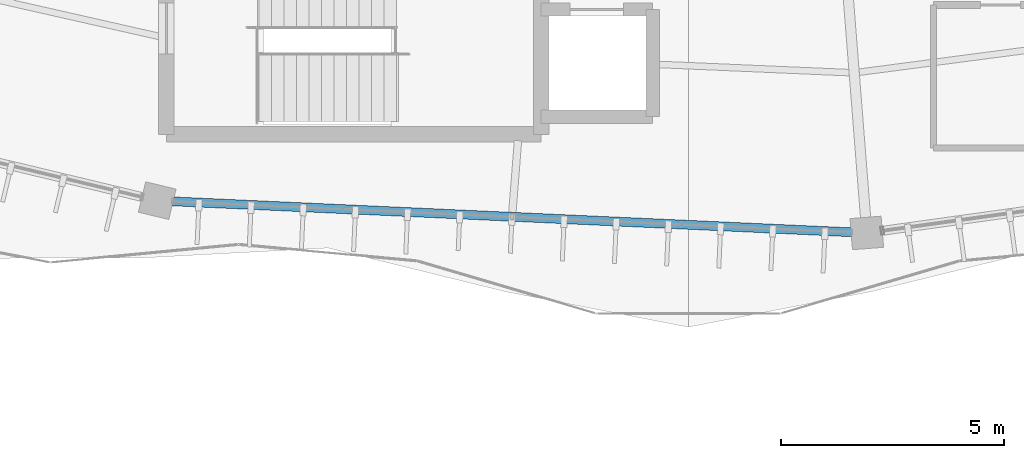
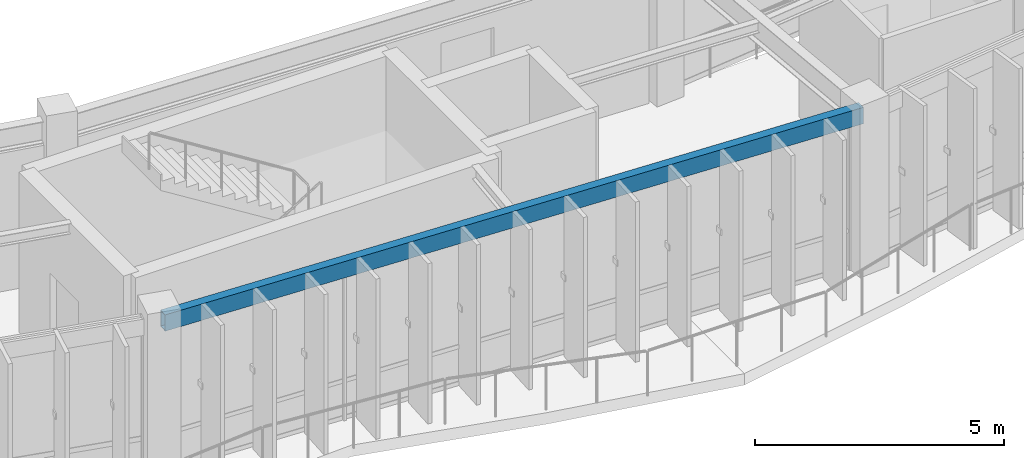
# One storey, part 27 of 138: 1 beam.
"""IFC4 building model written with IfcOpenShell, lengths in metres."""

from ifc_helpers import new_model, si_unit, direction, frame, origin, origin_2d, place, context, subcontext, project, spatial, hollow_rectangle, extrude, material, material_profile, profile_set, type_object, element, save


model = new_model("IFC4")

# Units and contexts
model_context = context("Model", 3, precision=1e-05, world=origin(), true_north=direction((0.0, 1.0)))
body_context = subcontext(model_context, "Body", "Model", "MODEL_VIEW")
ifc_project = project(units=[si_unit("LENGTHUNIT", "METRE"), si_unit("AREAUNIT", "SQUARE_METRE"), si_unit("VOLUMEUNIT", "CUBIC_METRE"), si_unit("PLANEANGLEUNIT", "RADIAN"), si_unit("MASSUNIT", "GRAM", prefix="KILO"), si_unit("THERMODYNAMICTEMPERATUREUNIT", "KELVIN"), si_unit("POWERUNIT", "WATT")], contexts=[model_context])

# Site, building, storey
site_placement = place(None, origin())
site = spatial("IfcSite", under=ifc_project, at=site_placement, CompositionType="ELEMENT")
building_placement = place(site_placement, origin())
building = spatial("IfcBuilding", under=site, at=building_placement, Name="Darbajah Civic Hall", CompositionType="ELEMENT")
storey_placement = place(building_placement, frame((0.0, 0.0, 9.60009765625)))
storey = spatial("IfcBuildingStorey", under=building, at=storey_placement, Name="L02", CompositionType="ELEMENT", Elevation=9.60009765625)

# Beam
ifc_material = material(Name="Steel S355JR", Category="steel")
ifc_material_profile = material_profile(ifc_material, hollow_rectangle(XDim=0.199951171875, YDim=0.39990234375, WallThickness=0.013916015625, at=origin_2d()), Name="RHS 400x200x14")
ifc_profile_set = profile_set([ifc_material_profile], Name="Steel S355JR")
beam_type = type_object("IfcBeamType", Name="RHS 400x200x14", PredefinedType="SPANDREL", material=ifc_profile_set)
beam_placement = place(storey_placement, frame((77.274169921875, 61.111572265625, 3.719970703125), z_axis=(0.998964928608, -0.04548704664, 0.0), x_axis=(0.04548704664, 0.998964928608, 0.0)))
element("IfcBeam", 1, at=beam_placement, inside=storey, type_object=beam_type, Name="L02 beam SP-RHS400", PredefinedType="SPANDREL", context=body_context, shape_type="SweptSolid", body=[
    extrude(hollow_rectangle(XDim=0.199951171875, YDim=0.39990234375, WallThickness=0.013916015625, at=origin_2d()), origin(), (0.0, 0.0, 1.0), 15.763671875),
])

save(model, "model.ifc")
